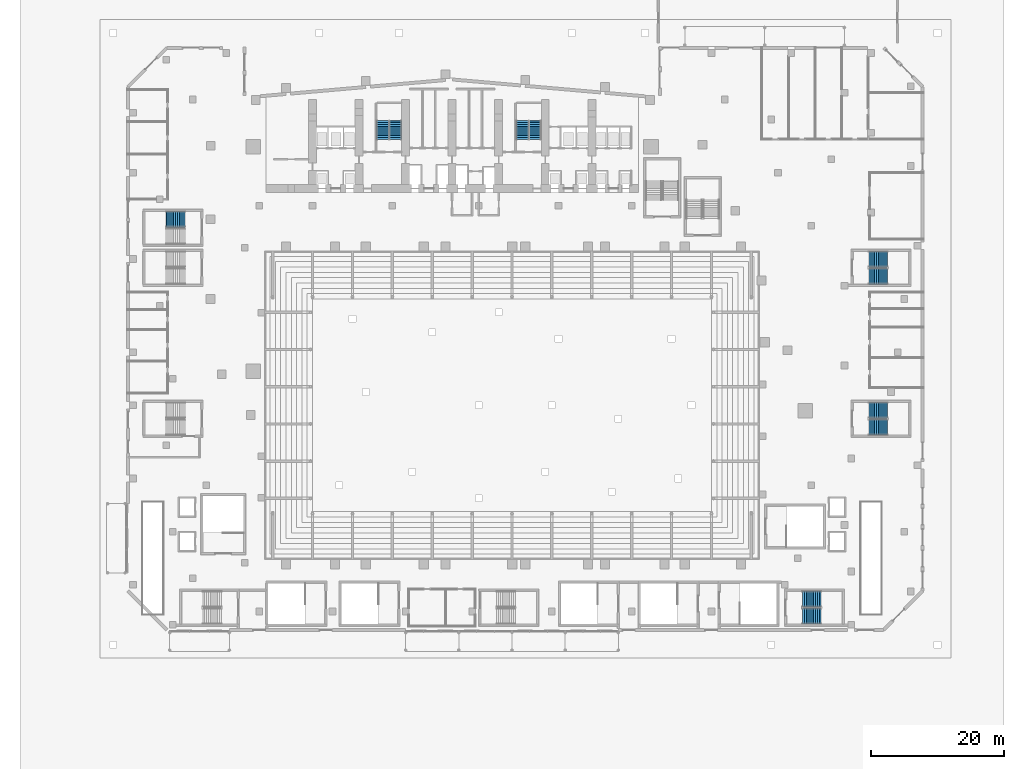
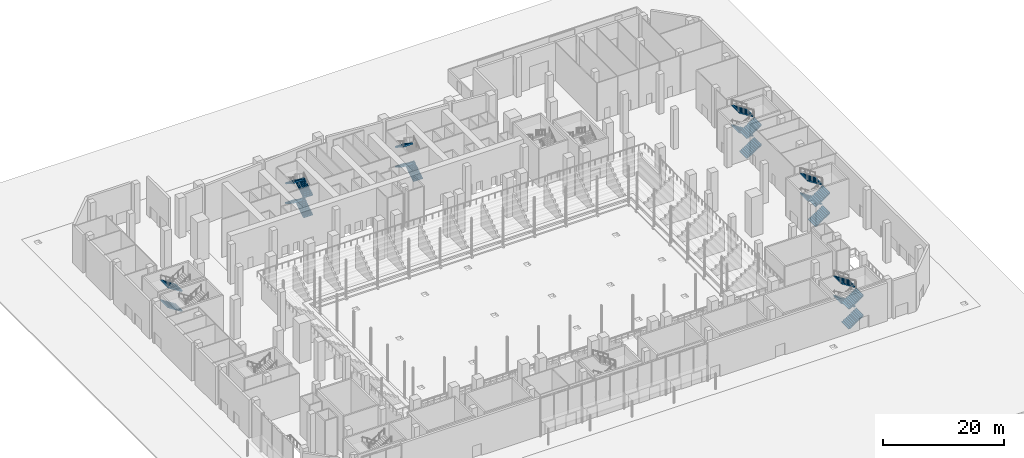
# One storey, part 30 of 41: 21 stair flights, 6 elements without a shape of their own.
"""IFC4 building model written with IfcOpenShell, lengths in metres."""

from ifc_helpers import new_model, si_unit, direction, frame, origin, place, context, subcontext, project, spatial, polyline, outline, extrude, material, type_object, element, aggregate, save


model = new_model("IFC4")

# Units and contexts
model_context = context("Model", 3, precision=1e-05, world=origin(), true_north=direction((0.0, 1.0)))
body_context = subcontext(model_context, "Body", "Model", "MODEL_VIEW")
ifc_project = project(units=[si_unit("LENGTHUNIT", "METRE"), si_unit("AREAUNIT", "SQUARE_METRE"), si_unit("VOLUMEUNIT", "CUBIC_METRE"), si_unit("PLANEANGLEUNIT", "RADIAN"), si_unit("MASSUNIT", "GRAM", prefix="KILO")], contexts=[model_context])

# Site, building, storey
site_placement = place(None, origin())
site = spatial("IfcSite", under=ifc_project, at=site_placement, CompositionType="ELEMENT")
building_placement = place(site_placement, origin())
building = spatial("IfcBuilding", under=site, at=building_placement, Name="Wharfspan Tower", CompositionType="ELEMENT")
storey_placement = place(building_placement, origin())
storey = spatial("IfcBuildingStorey", under=building, at=storey_placement, Name="L00", CompositionType="ELEMENT", Elevation=0.0)

# Stair, stair flights
ifc_material = material(Name="Concrete C40/50", Category="concrete")
stair_type_1 = type_object("IfcStairType", Name="Half-turn stair 2400 wide 44 risers 182 mm", PredefinedType="HALF_TURN_STAIR", material=ifc_material)
stair_1_placement = place(storey_placement, origin())
stair_1 = element("IfcStair", 1, at=stair_1_placement, inside=storey, type_object=stair_type_1, Name="L00 stair AS2", PredefinedType="HALF_TURN_STAIR")
stair_flight_type_1 = type_object("IfcStairFlightType", Name="Stair flight 2400 wide 44 risers 182 mm", PredefinedType="STRAIGHT", material=ifc_material)
stair_flight_1_placement = place(storey_placement, frame((89.699951, -29.699951, 0.0), z_axis=(0.0, 0.0, 1.0), x_axis=(1.0, 0.0, 0.0)))
stair_flight_1 = element("IfcStairFlight", 2, at=stair_flight_1_placement, type_object=stair_flight_type_1, Name="AS2 flight 1", NumberOfRisers=11, NumberOfTreads=10, PredefinedType="STRAIGHT", RiserHeight=0.181818, TreadLength=0.28, context=body_context, shape_type="SweptSolid", body=[
    extrude(outline(polyline([(-0.011963, 0.0), (-0.011963, 0.181885), (0.0, 0.181885), (0.280029, 0.181885), (0.280029, 0.363525), (0.560059, 0.363525), (0.560059, 0.54541), (0.840088, 0.54541), (0.840088, 0.727295), (1.120117, 0.727295), (1.120117, 0.90918), (1.399902, 0.90918), (1.399902, 1.09082), (1.679932, 1.09082), (1.679932, 1.272705), (1.959961, 1.272705), (1.959961, 1.45459), (2.23999, 1.45459), (2.23999, 1.636475), (2.52002, 1.636475), (2.52002, 1.818115), (2.800049, 1.818115), (2.812012, 2.0), (2.812012, 1.639404), (0.275146, 0.0), (-0.011963, 0.0)])), frame((0.0, 1.199951, 0.0), z_axis=(0.0, -1.0, 0.0), x_axis=(1.0, 0.0, 0.0)), (0.0, 0.0, 1.0), 1.199463),
    extrude(outline(polyline([(-0.011963, 0.0), (-0.011963, 0.181885), (0.0, 0.181885), (0.280029, 0.181885), (0.280029, 0.363525), (0.560059, 0.363525), (0.560059, 0.54541), (0.840088, 0.54541), (0.840088, 0.727295), (1.120117, 0.727295), (1.120117, 0.90918), (1.399902, 0.90918), (1.399902, 1.09082), (1.679932, 1.09082), (1.679932, 1.272705), (1.959961, 1.272705), (1.959961, 1.45459), (2.23999, 1.45459), (2.23999, 1.636475), (2.52002, 1.636475), (2.52002, 1.818115), (2.800049, 1.818115), (2.812012, 2.0), (2.812012, 1.639404), (0.275146, 0.0), (-0.011963, 0.0)])), frame((0.0, -0.000488, 0.0), z_axis=(0.0, -1.0, 0.0), x_axis=(1.0, 0.0, 0.0)), (0.0, 0.0, 1.0), 1.199463),
])
stair_flight_2_placement = place(storey_placement, frame((92.5, -27.149902, 2.0), z_axis=(0.0, 0.0, 1.0), x_axis=(-1.0, 0.0, 0.0)))
stair_flight_2 = element("IfcStairFlight", 3, at=stair_flight_2_placement, type_object=stair_flight_type_1, Name="AS2 flight 2", NumberOfRisers=11, NumberOfTreads=10, PredefinedType="STRAIGHT", RiserHeight=0.181818, TreadLength=0.28, context=body_context, shape_type="SweptSolid", body=[
    extrude(outline(polyline([(-0.011963, 0.0), (-0.011963, 0.181885), (0.0, 0.181885), (0.280029, 0.181885), (0.280029, 0.363525), (0.560059, 0.363525), (0.560059, 0.54541), (0.840088, 0.54541), (0.840088, 0.727295), (1.120117, 0.727295), (1.120117, 0.90918), (1.399902, 0.90918), (1.399902, 1.09082), (1.679932, 1.09082), (1.679932, 1.272705), (1.959961, 1.272705), (1.959961, 1.45459), (2.23999, 1.45459), (2.23999, 1.636475), (2.52002, 1.636475), (2.52002, 1.818115), (2.800049, 1.818115), (2.812012, 2.0), (2.812012, 1.639404), (0.275146, 0.0), (-0.011963, 0.0)])), frame((0.0, 1.199951, 0.0), z_axis=(0.0, -1.0, 0.0), x_axis=(1.0, 0.0, 0.0)), (0.0, 0.0, 1.0), 1.199463),
    extrude(outline(polyline([(-0.011963, 0.0), (-0.011963, 0.181885), (0.0, 0.181885), (0.280029, 0.181885), (0.280029, 0.363525), (0.560059, 0.363525), (0.560059, 0.54541), (0.840088, 0.54541), (0.840088, 0.727295), (1.120117, 0.727295), (1.120117, 0.90918), (1.399902, 0.90918), (1.399902, 1.09082), (1.679932, 1.09082), (1.679932, 1.272705), (1.959961, 1.272705), (1.959961, 1.45459), (2.23999, 1.45459), (2.23999, 1.636475), (2.52002, 1.636475), (2.52002, 1.818115), (2.800049, 1.818115), (2.812012, 2.0), (2.812012, 1.639404), (0.275146, 0.0), (-0.011963, 0.0)])), frame((0.0, -0.000488, 0.0), z_axis=(0.0, -1.0, 0.0), x_axis=(1.0, 0.0, 0.0)), (0.0, 0.0, 1.0), 1.199463),
])
stair_flight_3_placement = place(storey_placement, frame((89.699951, -29.699951, 4.0), z_axis=(0.0, 0.0, 1.0), x_axis=(1.0, 0.0, 0.0)))
stair_flight_3 = element("IfcStairFlight", 4, at=stair_flight_3_placement, type_object=stair_flight_type_1, Name="AS2 flight 3", NumberOfRisers=11, NumberOfTreads=10, PredefinedType="STRAIGHT", RiserHeight=0.181818, TreadLength=0.28, context=body_context, shape_type="SweptSolid", body=[
    extrude(outline(polyline([(-0.011963, 0.0), (-0.011963, 0.181885), (0.0, 0.181885), (0.280029, 0.181885), (0.280029, 0.363525), (0.560059, 0.363525), (0.560059, 0.54541), (0.840088, 0.54541), (0.840088, 0.727295), (1.120117, 0.727295), (1.120117, 0.90918), (1.399902, 0.90918), (1.399902, 1.09082), (1.679932, 1.09082), (1.679932, 1.272705), (1.959961, 1.272705), (1.959961, 1.45459), (2.23999, 1.45459), (2.23999, 1.636475), (2.52002, 1.636475), (2.52002, 1.818115), (2.800049, 1.818115), (2.812012, 2.0), (2.812012, 1.639404), (0.275146, 0.0), (-0.011963, 0.0)])), frame((0.0, 1.199951, 0.0), z_axis=(0.0, -1.0, 0.0), x_axis=(1.0, 0.0, 0.0)), (0.0, 0.0, 1.0), 1.199463),
    extrude(outline(polyline([(-0.011963, 0.0), (-0.011963, 0.181885), (0.0, 0.181885), (0.280029, 0.181885), (0.280029, 0.363525), (0.560059, 0.363525), (0.560059, 0.54541), (0.840088, 0.54541), (0.840088, 0.727295), (1.120117, 0.727295), (1.120117, 0.90918), (1.399902, 0.90918), (1.399902, 1.09082), (1.679932, 1.09082), (1.679932, 1.272705), (1.959961, 1.272705), (1.959961, 1.45459), (2.23999, 1.45459), (2.23999, 1.636475), (2.52002, 1.636475), (2.52002, 1.818115), (2.800049, 1.818115), (2.812012, 2.0), (2.812012, 1.639404), (0.275146, 0.0), (-0.011963, 0.0)])), frame((0.0, -0.000488, 0.0), z_axis=(0.0, -1.0, 0.0), x_axis=(1.0, 0.0, 0.0)), (0.0, 0.0, 1.0), 1.199463),
])
stair_flight_4_placement = place(storey_placement, frame((92.5, -27.149902, 6.0), z_axis=(0.0, 0.0, 1.0), x_axis=(-1.0, 0.0, 0.0)))
stair_flight_4 = element("IfcStairFlight", 5, at=stair_flight_4_placement, type_object=stair_flight_type_1, Name="AS2 flight 4", NumberOfRisers=11, NumberOfTreads=10, PredefinedType="STRAIGHT", RiserHeight=0.181818, TreadLength=0.28, context=body_context, shape_type="SweptSolid", body=[
    extrude(outline(polyline([(-0.011963, 0.0), (-0.011963, 0.181885), (0.0, 0.181885), (0.280029, 0.181885), (0.280029, 0.363525), (0.560059, 0.363525), (0.560059, 0.54541), (0.840088, 0.54541), (0.840088, 0.727295), (1.120117, 0.727295), (1.120117, 0.90918), (1.399902, 0.90918), (1.399902, 1.09082), (1.679932, 1.09082), (1.679932, 1.272705), (1.959961, 1.272705), (1.959961, 1.45459), (2.23999, 1.45459), (2.23999, 1.636475), (2.52002, 1.636475), (2.52002, 1.818115), (2.800049, 1.818115), (2.812012, 2.0), (2.812012, 1.639404), (0.275146, 0.0), (-0.011963, 0.0)])), frame((0.0, 1.199951, 0.0), z_axis=(0.0, -1.0, 0.0), x_axis=(1.0, 0.0, 0.0)), (0.0, 0.0, 1.0), 1.199463),
    extrude(outline(polyline([(-0.011963, 0.0), (-0.011963, 0.181885), (0.0, 0.181885), (0.280029, 0.181885), (0.280029, 0.363525), (0.560059, 0.363525), (0.560059, 0.54541), (0.840088, 0.54541), (0.840088, 0.727295), (1.120117, 0.727295), (1.120117, 0.90918), (1.399902, 0.90918), (1.399902, 1.09082), (1.679932, 1.09082), (1.679932, 1.272705), (1.959961, 1.272705), (1.959961, 1.45459), (2.23999, 1.45459), (2.23999, 1.636475), (2.52002, 1.636475), (2.52002, 1.818115), (2.800049, 1.818115), (2.812012, 2.0), (2.812012, 1.639404), (0.275146, 0.0), (-0.011963, 0.0)])), frame((0.0, -0.000488, 0.0), z_axis=(0.0, -1.0, 0.0), x_axis=(1.0, 0.0, 0.0)), (0.0, 0.0, 1.0), 1.199463),
])
aggregate(stair_1, [stair_flight_1, stair_flight_2, stair_flight_3, stair_flight_4])

stair_2_placement = place(storey_placement, origin())
stair_2 = element("IfcStair", 6, at=stair_2_placement, inside=storey, type_object=stair_type_1, Name="L00 stair AS8", PredefinedType="HALF_TURN_STAIR")
stair_flight_5_placement = place(storey_placement, frame((99.699951, -1.300049, 0.0), z_axis=(0.0, 0.0, 1.0), x_axis=(1.0, 0.0, 0.0)))
stair_flight_5 = element("IfcStairFlight", 7, at=stair_flight_5_placement, type_object=stair_flight_type_1, Name="AS8 flight 1", NumberOfRisers=11, NumberOfTreads=10, PredefinedType="STRAIGHT", RiserHeight=0.181818, TreadLength=0.28, context=body_context, shape_type="SweptSolid", body=[
    extrude(outline(polyline([(-0.011963, 0.0), (-0.011963, 0.181885), (0.0, 0.181885), (0.280029, 0.181885), (0.280029, 0.363525), (0.560059, 0.363525), (0.560059, 0.54541), (0.840088, 0.54541), (0.840088, 0.727295), (1.120117, 0.727295), (1.120117, 0.90918), (1.399902, 0.90918), (1.399902, 1.09082), (1.679932, 1.09082), (1.679932, 1.272705), (1.959961, 1.272705), (1.959961, 1.45459), (2.23999, 1.45459), (2.23999, 1.636475), (2.52002, 1.636475), (2.52002, 1.818115), (2.800049, 1.818115), (2.812012, 2.0), (2.812012, 1.639404), (0.275146, 0.0), (-0.011963, 0.0)])), frame((0.0, 1.199951, 0.0), z_axis=(0.0, -1.0, 0.0), x_axis=(1.0, 0.0, 0.0)), (0.0, 0.0, 1.0), 1.199463),
    extrude(outline(polyline([(-0.011963, 0.0), (-0.011963, 0.181885), (0.0, 0.181885), (0.280029, 0.181885), (0.280029, 0.363525), (0.560059, 0.363525), (0.560059, 0.54541), (0.840088, 0.54541), (0.840088, 0.727295), (1.120117, 0.727295), (1.120117, 0.90918), (1.399902, 0.90918), (1.399902, 1.09082), (1.679932, 1.09082), (1.679932, 1.272705), (1.959961, 1.272705), (1.959961, 1.45459), (2.23999, 1.45459), (2.23999, 1.636475), (2.52002, 1.636475), (2.52002, 1.818115), (2.800049, 1.818115), (2.812012, 2.0), (2.812012, 1.639404), (0.275146, 0.0), (-0.011963, 0.0)])), frame((0.0, -0.000488, 0.0), z_axis=(0.0, -1.0, 0.0), x_axis=(1.0, 0.0, 0.0)), (0.0, 0.0, 1.0), 1.199463),
])
stair_flight_6_placement = place(storey_placement, frame((102.5, 1.25, 2.0), z_axis=(0.0, 0.0, 1.0), x_axis=(-1.0, 0.0, 0.0)))
stair_flight_6 = element("IfcStairFlight", 8, at=stair_flight_6_placement, type_object=stair_flight_type_1, Name="AS8 flight 2", NumberOfRisers=11, NumberOfTreads=10, PredefinedType="STRAIGHT", RiserHeight=0.181818, TreadLength=0.28, context=body_context, shape_type="SweptSolid", body=[
    extrude(outline(polyline([(-0.011963, 0.0), (-0.011963, 0.181885), (0.0, 0.181885), (0.280029, 0.181885), (0.280029, 0.363525), (0.560059, 0.363525), (0.560059, 0.54541), (0.840088, 0.54541), (0.840088, 0.727295), (1.120117, 0.727295), (1.120117, 0.90918), (1.399902, 0.90918), (1.399902, 1.09082), (1.679932, 1.09082), (1.679932, 1.272705), (1.959961, 1.272705), (1.959961, 1.45459), (2.23999, 1.45459), (2.23999, 1.636475), (2.52002, 1.636475), (2.52002, 1.818115), (2.800049, 1.818115), (2.812012, 2.0), (2.812012, 1.639404), (0.275146, 0.0), (-0.011963, 0.0)])), frame((0.0, 1.199951, 0.0), z_axis=(0.0, -1.0, 0.0), x_axis=(1.0, 0.0, 0.0)), (0.0, 0.0, 1.0), 1.199463),
    extrude(outline(polyline([(-0.011963, 0.0), (-0.011963, 0.181885), (0.0, 0.181885), (0.280029, 0.181885), (0.280029, 0.363525), (0.560059, 0.363525), (0.560059, 0.54541), (0.840088, 0.54541), (0.840088, 0.727295), (1.120117, 0.727295), (1.120117, 0.90918), (1.399902, 0.90918), (1.399902, 1.09082), (1.679932, 1.09082), (1.679932, 1.272705), (1.959961, 1.272705), (1.959961, 1.45459), (2.23999, 1.45459), (2.23999, 1.636475), (2.52002, 1.636475), (2.52002, 1.818115), (2.800049, 1.818115), (2.812012, 2.0), (2.812012, 1.639404), (0.275146, 0.0), (-0.011963, 0.0)])), frame((0.0, -0.000488, 0.0), z_axis=(0.0, -1.0, 0.0), x_axis=(1.0, 0.0, 0.0)), (0.0, 0.0, 1.0), 1.199463),
])
stair_flight_7_placement = place(storey_placement, frame((99.699951, -1.300049, 4.0), z_axis=(0.0, 0.0, 1.0), x_axis=(1.0, 0.0, 0.0)))
stair_flight_7 = element("IfcStairFlight", 9, at=stair_flight_7_placement, type_object=stair_flight_type_1, Name="AS8 flight 3", NumberOfRisers=11, NumberOfTreads=10, PredefinedType="STRAIGHT", RiserHeight=0.181818, TreadLength=0.28, context=body_context, shape_type="SweptSolid", body=[
    extrude(outline(polyline([(-0.011963, 0.0), (-0.011963, 0.181885), (0.0, 0.181885), (0.280029, 0.181885), (0.280029, 0.363525), (0.560059, 0.363525), (0.560059, 0.54541), (0.840088, 0.54541), (0.840088, 0.727295), (1.120117, 0.727295), (1.120117, 0.90918), (1.399902, 0.90918), (1.399902, 1.09082), (1.679932, 1.09082), (1.679932, 1.272705), (1.959961, 1.272705), (1.959961, 1.45459), (2.23999, 1.45459), (2.23999, 1.636475), (2.52002, 1.636475), (2.52002, 1.818115), (2.800049, 1.818115), (2.812012, 2.0), (2.812012, 1.639404), (0.275146, 0.0), (-0.011963, 0.0)])), frame((0.0, 1.199951, 0.0), z_axis=(0.0, -1.0, 0.0), x_axis=(1.0, 0.0, 0.0)), (0.0, 0.0, 1.0), 1.199463),
    extrude(outline(polyline([(-0.011963, 0.0), (-0.011963, 0.181885), (0.0, 0.181885), (0.280029, 0.181885), (0.280029, 0.363525), (0.560059, 0.363525), (0.560059, 0.54541), (0.840088, 0.54541), (0.840088, 0.727295), (1.120117, 0.727295), (1.120117, 0.90918), (1.399902, 0.90918), (1.399902, 1.09082), (1.679932, 1.09082), (1.679932, 1.272705), (1.959961, 1.272705), (1.959961, 1.45459), (2.23999, 1.45459), (2.23999, 1.636475), (2.52002, 1.636475), (2.52002, 1.818115), (2.800049, 1.818115), (2.812012, 2.0), (2.812012, 1.639404), (0.275146, 0.0), (-0.011963, 0.0)])), frame((0.0, -0.000488, 0.0), z_axis=(0.0, -1.0, 0.0), x_axis=(1.0, 0.0, 0.0)), (0.0, 0.0, 1.0), 1.199463),
])
stair_flight_8_placement = place(storey_placement, frame((102.5, 1.25, 6.0), z_axis=(0.0, 0.0, 1.0), x_axis=(-1.0, 0.0, 0.0)))
stair_flight_8 = element("IfcStairFlight", 10, at=stair_flight_8_placement, type_object=stair_flight_type_1, Name="AS8 flight 4", NumberOfRisers=11, NumberOfTreads=10, PredefinedType="STRAIGHT", RiserHeight=0.181818, TreadLength=0.28, context=body_context, shape_type="SweptSolid", body=[
    extrude(outline(polyline([(-0.011963, 0.0), (-0.011963, 0.181885), (0.0, 0.181885), (0.280029, 0.181885), (0.280029, 0.363525), (0.560059, 0.363525), (0.560059, 0.54541), (0.840088, 0.54541), (0.840088, 0.727295), (1.120117, 0.727295), (1.120117, 0.90918), (1.399902, 0.90918), (1.399902, 1.09082), (1.679932, 1.09082), (1.679932, 1.272705), (1.959961, 1.272705), (1.959961, 1.45459), (2.23999, 1.45459), (2.23999, 1.636475), (2.52002, 1.636475), (2.52002, 1.818115), (2.800049, 1.818115), (2.812012, 2.0), (2.812012, 1.639404), (0.275146, 0.0), (-0.011963, 0.0)])), frame((0.0, 1.199951, 0.0), z_axis=(0.0, -1.0, 0.0), x_axis=(1.0, 0.0, 0.0)), (0.0, 0.0, 1.0), 1.199463),
    extrude(outline(polyline([(-0.011963, 0.0), (-0.011963, 0.181885), (0.0, 0.181885), (0.280029, 0.181885), (0.280029, 0.363525), (0.560059, 0.363525), (0.560059, 0.54541), (0.840088, 0.54541), (0.840088, 0.727295), (1.120117, 0.727295), (1.120117, 0.90918), (1.399902, 0.90918), (1.399902, 1.09082), (1.679932, 1.09082), (1.679932, 1.272705), (1.959961, 1.272705), (1.959961, 1.45459), (2.23999, 1.45459), (2.23999, 1.636475), (2.52002, 1.636475), (2.52002, 1.818115), (2.800049, 1.818115), (2.812012, 2.0), (2.812012, 1.639404), (0.275146, 0.0), (-0.011963, 0.0)])), frame((0.0, -0.000488, 0.0), z_axis=(0.0, -1.0, 0.0), x_axis=(1.0, 0.0, 0.0)), (0.0, 0.0, 1.0), 1.199463),
])
aggregate(stair_2, [stair_flight_5, stair_flight_6, stair_flight_7, stair_flight_8])

stair_3_placement = place(storey_placement, origin())
stair_3 = element("IfcStair", 11, at=stair_3_placement, inside=storey, type_object=stair_type_1, Name="L00 stair AS4", PredefinedType="HALF_TURN_STAIR")
stair_flight_9_placement = place(storey_placement, frame((99.699951, 21.399902, 0.0), z_axis=(0.0, 0.0, 1.0), x_axis=(1.0, 0.0, 0.0)))
stair_flight_9 = element("IfcStairFlight", 12, at=stair_flight_9_placement, type_object=stair_flight_type_1, Name="AS4 flight 1", NumberOfRisers=11, NumberOfTreads=10, PredefinedType="STRAIGHT", RiserHeight=0.181818, TreadLength=0.28, context=body_context, shape_type="SweptSolid", body=[
    extrude(outline(polyline([(-0.011963, 0.0), (-0.011963, 0.181885), (0.0, 0.181885), (0.280029, 0.181885), (0.280029, 0.363525), (0.560059, 0.363525), (0.560059, 0.54541), (0.840088, 0.54541), (0.840088, 0.727295), (1.120117, 0.727295), (1.120117, 0.90918), (1.399902, 0.90918), (1.399902, 1.09082), (1.679932, 1.09082), (1.679932, 1.272705), (1.959961, 1.272705), (1.959961, 1.45459), (2.23999, 1.45459), (2.23999, 1.636475), (2.52002, 1.636475), (2.52002, 1.818115), (2.800049, 1.818115), (2.812012, 2.0), (2.812012, 1.639404), (0.275146, 0.0), (-0.011963, 0.0)])), frame((0.0, 1.199951, 0.0), z_axis=(0.0, -1.0, 0.0), x_axis=(1.0, 0.0, 0.0)), (0.0, 0.0, 1.0), 1.199463),
    extrude(outline(polyline([(-0.011963, 0.0), (-0.011963, 0.181885), (0.0, 0.181885), (0.280029, 0.181885), (0.280029, 0.363525), (0.560059, 0.363525), (0.560059, 0.54541), (0.840088, 0.54541), (0.840088, 0.727295), (1.120117, 0.727295), (1.120117, 0.90918), (1.399902, 0.90918), (1.399902, 1.09082), (1.679932, 1.09082), (1.679932, 1.272705), (1.959961, 1.272705), (1.959961, 1.45459), (2.23999, 1.45459), (2.23999, 1.636475), (2.52002, 1.636475), (2.52002, 1.818115), (2.800049, 1.818115), (2.812012, 2.0), (2.812012, 1.639404), (0.275146, 0.0), (-0.011963, 0.0)])), frame((0.0, -0.000488, 0.0), z_axis=(0.0, -1.0, 0.0), x_axis=(1.0, 0.0, 0.0)), (0.0, 0.0, 1.0), 1.199463),
])
stair_flight_10_placement = place(storey_placement, frame((102.5, 23.949951, 2.0), z_axis=(0.0, 0.0, 1.0), x_axis=(-1.0, 0.0, 0.0)))
stair_flight_10 = element("IfcStairFlight", 13, at=stair_flight_10_placement, type_object=stair_flight_type_1, Name="AS4 flight 2", NumberOfRisers=11, NumberOfTreads=10, PredefinedType="STRAIGHT", RiserHeight=0.181818, TreadLength=0.28, context=body_context, shape_type="SweptSolid", body=[
    extrude(outline(polyline([(-0.011963, 0.0), (-0.011963, 0.181885), (0.0, 0.181885), (0.280029, 0.181885), (0.280029, 0.363525), (0.560059, 0.363525), (0.560059, 0.54541), (0.840088, 0.54541), (0.840088, 0.727295), (1.120117, 0.727295), (1.120117, 0.90918), (1.399902, 0.90918), (1.399902, 1.09082), (1.679932, 1.09082), (1.679932, 1.272705), (1.959961, 1.272705), (1.959961, 1.45459), (2.23999, 1.45459), (2.23999, 1.636475), (2.52002, 1.636475), (2.52002, 1.818115), (2.800049, 1.818115), (2.812012, 2.0), (2.812012, 1.639404), (0.275146, 0.0), (-0.011963, 0.0)])), frame((0.0, 1.199951, 0.0), z_axis=(0.0, -1.0, 0.0), x_axis=(1.0, 0.0, 0.0)), (0.0, 0.0, 1.0), 1.199463),
    extrude(outline(polyline([(-0.011963, 0.0), (-0.011963, 0.181885), (0.0, 0.181885), (0.280029, 0.181885), (0.280029, 0.363525), (0.560059, 0.363525), (0.560059, 0.54541), (0.840088, 0.54541), (0.840088, 0.727295), (1.120117, 0.727295), (1.120117, 0.90918), (1.399902, 0.90918), (1.399902, 1.09082), (1.679932, 1.09082), (1.679932, 1.272705), (1.959961, 1.272705), (1.959961, 1.45459), (2.23999, 1.45459), (2.23999, 1.636475), (2.52002, 1.636475), (2.52002, 1.818115), (2.800049, 1.818115), (2.812012, 2.0), (2.812012, 1.639404), (0.275146, 0.0), (-0.011963, 0.0)])), frame((0.0, -0.000488, 0.0), z_axis=(0.0, -1.0, 0.0), x_axis=(1.0, 0.0, 0.0)), (0.0, 0.0, 1.0), 1.199463),
])
stair_flight_11_placement = place(storey_placement, frame((99.699951, 21.399902, 4.0), z_axis=(0.0, 0.0, 1.0), x_axis=(1.0, 0.0, 0.0)))
stair_flight_11 = element("IfcStairFlight", 14, at=stair_flight_11_placement, type_object=stair_flight_type_1, Name="AS4 flight 3", NumberOfRisers=11, NumberOfTreads=10, PredefinedType="STRAIGHT", RiserHeight=0.181818, TreadLength=0.28, context=body_context, shape_type="SweptSolid", body=[
    extrude(outline(polyline([(-0.011963, 0.0), (-0.011963, 0.181885), (0.0, 0.181885), (0.280029, 0.181885), (0.280029, 0.363525), (0.560059, 0.363525), (0.560059, 0.54541), (0.840088, 0.54541), (0.840088, 0.727295), (1.120117, 0.727295), (1.120117, 0.90918), (1.399902, 0.90918), (1.399902, 1.09082), (1.679932, 1.09082), (1.679932, 1.272705), (1.959961, 1.272705), (1.959961, 1.45459), (2.23999, 1.45459), (2.23999, 1.636475), (2.52002, 1.636475), (2.52002, 1.818115), (2.800049, 1.818115), (2.812012, 2.0), (2.812012, 1.639404), (0.275146, 0.0), (-0.011963, 0.0)])), frame((0.0, 1.199951, 0.0), z_axis=(0.0, -1.0, 0.0), x_axis=(1.0, 0.0, 0.0)), (0.0, 0.0, 1.0), 1.199463),
    extrude(outline(polyline([(-0.011963, 0.0), (-0.011963, 0.181885), (0.0, 0.181885), (0.280029, 0.181885), (0.280029, 0.363525), (0.560059, 0.363525), (0.560059, 0.54541), (0.840088, 0.54541), (0.840088, 0.727295), (1.120117, 0.727295), (1.120117, 0.90918), (1.399902, 0.90918), (1.399902, 1.09082), (1.679932, 1.09082), (1.679932, 1.272705), (1.959961, 1.272705), (1.959961, 1.45459), (2.23999, 1.45459), (2.23999, 1.636475), (2.52002, 1.636475), (2.52002, 1.818115), (2.800049, 1.818115), (2.812012, 2.0), (2.812012, 1.639404), (0.275146, 0.0), (-0.011963, 0.0)])), frame((0.0, -0.000488, 0.0), z_axis=(0.0, -1.0, 0.0), x_axis=(1.0, 0.0, 0.0)), (0.0, 0.0, 1.0), 1.199463),
])
stair_flight_12_placement = place(storey_placement, frame((102.5, 23.949951, 6.0), z_axis=(0.0, 0.0, 1.0), x_axis=(-1.0, 0.0, 0.0)))
stair_flight_12 = element("IfcStairFlight", 15, at=stair_flight_12_placement, type_object=stair_flight_type_1, Name="AS4 flight 4", NumberOfRisers=11, NumberOfTreads=10, PredefinedType="STRAIGHT", RiserHeight=0.181818, TreadLength=0.28, context=body_context, shape_type="SweptSolid", body=[
    extrude(outline(polyline([(-0.011963, 0.0), (-0.011963, 0.181885), (0.0, 0.181885), (0.280029, 0.181885), (0.280029, 0.363525), (0.560059, 0.363525), (0.560059, 0.54541), (0.840088, 0.54541), (0.840088, 0.727295), (1.120117, 0.727295), (1.120117, 0.90918), (1.399902, 0.90918), (1.399902, 1.09082), (1.679932, 1.09082), (1.679932, 1.272705), (1.959961, 1.272705), (1.959961, 1.45459), (2.23999, 1.45459), (2.23999, 1.636475), (2.52002, 1.636475), (2.52002, 1.818115), (2.800049, 1.818115), (2.812012, 2.0), (2.812012, 1.639404), (0.275146, 0.0), (-0.011963, 0.0)])), frame((0.0, 1.199951, 0.0), z_axis=(0.0, -1.0, 0.0), x_axis=(1.0, 0.0, 0.0)), (0.0, 0.0, 1.0), 1.199463),
    extrude(outline(polyline([(-0.011963, 0.0), (-0.011963, 0.181885), (0.0, 0.181885), (0.280029, 0.181885), (0.280029, 0.363525), (0.560059, 0.363525), (0.560059, 0.54541), (0.840088, 0.54541), (0.840088, 0.727295), (1.120117, 0.727295), (1.120117, 0.90918), (1.399902, 0.90918), (1.399902, 1.09082), (1.679932, 1.09082), (1.679932, 1.272705), (1.959961, 1.272705), (1.959961, 1.45459), (2.23999, 1.45459), (2.23999, 1.636475), (2.52002, 1.636475), (2.52002, 1.818115), (2.800049, 1.818115), (2.812012, 2.0), (2.812012, 1.639404), (0.275146, 0.0), (-0.011963, 0.0)])), frame((0.0, -0.000488, 0.0), z_axis=(0.0, -1.0, 0.0), x_axis=(1.0, 0.0, 0.0)), (0.0, 0.0, 1.0), 1.199463),
])
aggregate(stair_3, [stair_flight_9, stair_flight_10, stair_flight_11, stair_flight_12])

stair_4_placement = place(storey_placement, origin())
stair_4 = element("IfcStair", 16, at=stair_4_placement, inside=storey, type_object=stair_type_1, Name="L00 stair PS3", PredefinedType="HALF_TURN_STAIR")
stair_flight_13_placement = place(storey_placement, frame((-3.199951, 29.975098, 0.0), z_axis=(0.0, 0.0, 1.0), x_axis=(-1.0, 0.0, 0.0)))
stair_flight_13 = element("IfcStairFlight", 17, at=stair_flight_13_placement, type_object=stair_flight_type_1, Name="PS3 flight 1", NumberOfRisers=11, NumberOfTreads=10, PredefinedType="STRAIGHT", RiserHeight=0.181818, TreadLength=0.28, context=body_context, shape_type="SweptSolid", body=[
    extrude(outline(polyline([(-0.011963, 0.0), (-0.011963, 0.181885), (0.0, 0.181885), (0.280029, 0.181885), (0.280029, 0.363525), (0.560059, 0.363525), (0.560059, 0.54541), (0.840088, 0.54541), (0.840088, 0.727295), (1.120117, 0.727295), (1.120117, 0.90918), (1.399902, 0.90918), (1.399902, 1.09082), (1.679932, 1.09082), (1.679932, 1.272705), (1.959961, 1.272705), (1.959961, 1.45459), (2.23999, 1.45459), (2.23999, 1.636475), (2.52002, 1.636475), (2.52002, 1.818115), (2.800049, 1.818115), (2.812012, 2.0), (2.812012, 1.639404), (0.275146, 0.0), (-0.011963, 0.0)])), frame((0.0, 1.199951, 0.0), z_axis=(0.0, -1.0, 0.0), x_axis=(1.0, 0.0, 0.0)), (0.0, 0.0, 1.0), 1.199463),
    extrude(outline(polyline([(-0.011963, 0.0), (-0.011963, 0.181885), (0.0, 0.181885), (0.280029, 0.181885), (0.280029, 0.363525), (0.560059, 0.363525), (0.560059, 0.54541), (0.840088, 0.54541), (0.840088, 0.727295), (1.120117, 0.727295), (1.120117, 0.90918), (1.399902, 0.90918), (1.399902, 1.09082), (1.679932, 1.09082), (1.679932, 1.272705), (1.959961, 1.272705), (1.959961, 1.45459), (2.23999, 1.45459), (2.23999, 1.636475), (2.52002, 1.636475), (2.52002, 1.818115), (2.800049, 1.818115), (2.812012, 2.0), (2.812012, 1.639404), (0.275146, 0.0), (-0.011963, 0.0)])), frame((0.0, -0.000488, 0.0), z_axis=(0.0, -1.0, 0.0), x_axis=(1.0, 0.0, 0.0)), (0.0, 0.0, 1.0), 1.199463),
])
stair_flight_14_placement = place(storey_placement, frame((-3.199951, 29.975098, 4.0), z_axis=(0.0, 0.0, 1.0), x_axis=(-1.0, 0.0, 0.0)))
stair_flight_14 = element("IfcStairFlight", 18, at=stair_flight_14_placement, type_object=stair_flight_type_1, Name="PS3 flight 3", NumberOfRisers=11, NumberOfTreads=10, PredefinedType="STRAIGHT", RiserHeight=0.181818, TreadLength=0.28, context=body_context, shape_type="SweptSolid", body=[
    extrude(outline(polyline([(-0.011963, 0.0), (-0.011963, 0.181885), (0.0, 0.181885), (0.280029, 0.181885), (0.280029, 0.363525), (0.560059, 0.363525), (0.560059, 0.54541), (0.840088, 0.54541), (0.840088, 0.727295), (1.120117, 0.727295), (1.120117, 0.90918), (1.399902, 0.90918), (1.399902, 1.09082), (1.679932, 1.09082), (1.679932, 1.272705), (1.959961, 1.272705), (1.959961, 1.45459), (2.23999, 1.45459), (2.23999, 1.636475), (2.52002, 1.636475), (2.52002, 1.818115), (2.800049, 1.818115), (2.812012, 2.0), (2.812012, 1.639404), (0.275146, 0.0), (-0.011963, 0.0)])), frame((0.0, 1.199951, 0.0), z_axis=(0.0, -1.0, 0.0), x_axis=(1.0, 0.0, 0.0)), (0.0, 0.0, 1.0), 1.199463),
    extrude(outline(polyline([(-0.011963, 0.0), (-0.011963, 0.181885), (0.0, 0.181885), (0.280029, 0.181885), (0.280029, 0.363525), (0.560059, 0.363525), (0.560059, 0.54541), (0.840088, 0.54541), (0.840088, 0.727295), (1.120117, 0.727295), (1.120117, 0.90918), (1.399902, 0.90918), (1.399902, 1.09082), (1.679932, 1.09082), (1.679932, 1.272705), (1.959961, 1.272705), (1.959961, 1.45459), (2.23999, 1.45459), (2.23999, 1.636475), (2.52002, 1.636475), (2.52002, 1.818115), (2.800049, 1.818115), (2.812012, 2.0), (2.812012, 1.639404), (0.275146, 0.0), (-0.011963, 0.0)])), frame((0.0, -0.000488, 0.0), z_axis=(0.0, -1.0, 0.0), x_axis=(1.0, 0.0, 0.0)), (0.0, 0.0, 1.0), 1.199463),
])
aggregate(stair_4, [stair_flight_13, stair_flight_14])

stair_type_2 = type_object("IfcStairType", Name="Half-turn stair 44 risers 182 mm", PredefinedType="HALF_TURN_STAIR", material=ifc_material)
stair_5_placement = place(storey_placement, origin())
stair_5 = element("IfcStair", 19, at=stair_5_placement, inside=storey, type_object=stair_type_2, Name="L00 stair ST1", PredefinedType="HALF_TURN_STAIR")
stair_flight_type_2 = type_object("IfcStairFlightType", Name="Stair flight 44 risers 182 mm", PredefinedType="STRAIGHT", material=ifc_material)
stair_flight_15_placement = place(storey_placement, frame((28.5, 42.0, 0.0), z_axis=(0.0, 0.0, 1.0), x_axis=(0.0, 1.0, 0.0)))
stair_flight_15 = element("IfcStairFlight", 20, at=stair_flight_15_placement, type_object=stair_flight_type_2, Name="ST1 flight 1", NumberOfRisers=11, NumberOfTreads=10, PredefinedType="STRAIGHT", RiserHeight=0.181818, TreadLength=0.28, context=body_context, shape_type="SweptSolid", body=[
    extrude(outline(polyline([(-0.011963, 0.0), (-0.011963, 0.181885), (0.0, 0.181885), (0.280029, 0.181885), (0.280029, 0.363525), (0.560059, 0.363525), (0.560059, 0.54541), (0.840088, 0.54541), (0.840088, 0.727295), (1.120117, 0.727295), (1.120117, 0.90918), (1.399902, 0.90918), (1.399902, 1.09082), (1.679932, 1.09082), (1.679932, 1.272705), (1.959961, 1.272705), (1.959961, 1.45459), (2.23999, 1.45459), (2.23999, 1.636475), (2.52002, 1.636475), (2.52002, 1.818115), (2.800049, 1.818115), (2.812012, 2.0), (2.812012, 1.639404), (0.275146, 0.0), (-0.011963, 0.0)])), frame((0.0, 0.899902, 0.0), z_axis=(0.0, -1.0, 0.0), x_axis=(1.0, 0.0, 0.0)), (0.0, 0.0, 1.0), 1.800049),
])
stair_flight_16_placement = place(storey_placement, frame((26.550049, 44.800049, 2.0), z_axis=(0.0, 0.0, 1.0), x_axis=(0.0, -1.0, 0.0)))
stair_flight_16 = element("IfcStairFlight", 21, at=stair_flight_16_placement, type_object=stair_flight_type_2, Name="ST1 flight 2", NumberOfRisers=11, NumberOfTreads=10, PredefinedType="STRAIGHT", RiserHeight=0.181818, TreadLength=0.28, context=body_context, shape_type="SweptSolid", body=[
    extrude(outline(polyline([(-0.011963, 0.0), (-0.011963, 0.181885), (0.0, 0.181885), (0.280029, 0.181885), (0.280029, 0.363525), (0.560059, 0.363525), (0.560059, 0.54541), (0.840088, 0.54541), (0.840088, 0.727295), (1.120117, 0.727295), (1.120117, 0.90918), (1.399902, 0.90918), (1.399902, 1.09082), (1.679932, 1.09082), (1.679932, 1.272705), (1.959961, 1.272705), (1.959961, 1.45459), (2.23999, 1.45459), (2.23999, 1.636475), (2.52002, 1.636475), (2.52002, 1.818115), (2.800049, 1.818115), (2.812012, 2.0), (2.812012, 1.639404), (0.275146, 0.0), (-0.011963, 0.0)])), frame((0.0, 0.899902, 0.0), z_axis=(0.0, -1.0, 0.0), x_axis=(1.0, 0.0, 0.0)), (0.0, 0.0, 1.0), 1.800049),
])
stair_flight_17_placement = place(storey_placement, frame((28.5, 42.0, 4.0), z_axis=(0.0, 0.0, 1.0), x_axis=(0.0, 1.0, 0.0)))
stair_flight_17 = element("IfcStairFlight", 22, at=stair_flight_17_placement, type_object=stair_flight_type_2, Name="ST1 flight 3", NumberOfRisers=11, NumberOfTreads=10, PredefinedType="STRAIGHT", RiserHeight=0.181818, TreadLength=0.28, context=body_context, shape_type="SweptSolid", body=[
    extrude(outline(polyline([(-0.011963, 0.0), (-0.011963, 0.181885), (0.0, 0.181885), (0.280029, 0.181885), (0.280029, 0.363525), (0.560059, 0.363525), (0.560059, 0.54541), (0.840088, 0.54541), (0.840088, 0.727295), (1.120117, 0.727295), (1.120117, 0.90918), (1.399902, 0.90918), (1.399902, 1.09082), (1.679932, 1.09082), (1.679932, 1.272705), (1.959961, 1.272705), (1.959961, 1.45459), (2.23999, 1.45459), (2.23999, 1.636475), (2.52002, 1.636475), (2.52002, 1.818115), (2.800049, 1.818115), (2.812012, 2.0), (2.812012, 1.639404), (0.275146, 0.0), (-0.011963, 0.0)])), frame((0.0, 0.899902, 0.0), z_axis=(0.0, -1.0, 0.0), x_axis=(1.0, 0.0, 0.0)), (0.0, 0.0, 1.0), 1.800049),
])
stair_flight_18_placement = place(storey_placement, frame((26.550049, 44.800049, 6.0), z_axis=(0.0, 0.0, 1.0), x_axis=(0.0, -1.0, 0.0)))
stair_flight_18 = element("IfcStairFlight", 23, at=stair_flight_18_placement, type_object=stair_flight_type_2, Name="ST1 flight 4", NumberOfRisers=11, NumberOfTreads=10, PredefinedType="STRAIGHT", RiserHeight=0.181818, TreadLength=0.28, context=body_context, shape_type="SweptSolid", body=[
    extrude(outline(polyline([(-0.011963, 0.0), (-0.011963, 0.181885), (0.0, 0.181885), (0.280029, 0.181885), (0.280029, 0.363525), (0.560059, 0.363525), (0.560059, 0.54541), (0.840088, 0.54541), (0.840088, 0.727295), (1.120117, 0.727295), (1.120117, 0.90918), (1.399902, 0.90918), (1.399902, 1.09082), (1.679932, 1.09082), (1.679932, 1.272705), (1.959961, 1.272705), (1.959961, 1.45459), (2.23999, 1.45459), (2.23999, 1.636475), (2.52002, 1.636475), (2.52002, 1.818115), (2.800049, 1.818115), (2.812012, 2.0), (2.812012, 1.639404), (0.275146, 0.0), (-0.011963, 0.0)])), frame((0.0, 0.899902, 0.0), z_axis=(0.0, -1.0, 0.0), x_axis=(1.0, 0.0, 0.0)), (0.0, 0.0, 1.0), 1.800049),
])
aggregate(stair_5, [stair_flight_15, stair_flight_16, stair_flight_17, stair_flight_18])

stair_6_placement = place(storey_placement, origin())
stair_6 = element("IfcStair", 24, at=stair_6_placement, inside=storey, type_object=stair_type_2, Name="L00 stair ST2", PredefinedType="HALF_TURN_STAIR")
stair_flight_19_placement = place(storey_placement, frame((49.5, 42.0, 0.0), z_axis=(0.0, 0.0, 1.0), x_axis=(0.0, 1.0, 0.0)))
stair_flight_19 = element("IfcStairFlight", 25, at=stair_flight_19_placement, type_object=stair_flight_type_2, Name="ST2 flight 1", NumberOfRisers=11, NumberOfTreads=10, PredefinedType="STRAIGHT", RiserHeight=0.181818, TreadLength=0.28, context=body_context, shape_type="SweptSolid", body=[
    extrude(outline(polyline([(-0.011963, 0.0), (-0.011963, 0.181885), (0.0, 0.181885), (0.280029, 0.181885), (0.280029, 0.363525), (0.560059, 0.363525), (0.560059, 0.54541), (0.840088, 0.54541), (0.840088, 0.727295), (1.120117, 0.727295), (1.120117, 0.90918), (1.399902, 0.90918), (1.399902, 1.09082), (1.679932, 1.09082), (1.679932, 1.272705), (1.959961, 1.272705), (1.959961, 1.45459), (2.23999, 1.45459), (2.23999, 1.636475), (2.52002, 1.636475), (2.52002, 1.818115), (2.800049, 1.818115), (2.812012, 2.0), (2.812012, 1.639404), (0.275146, 0.0), (-0.011963, 0.0)])), frame((0.0, 0.899902, 0.0), z_axis=(0.0, -1.0, 0.0), x_axis=(1.0, 0.0, 0.0)), (0.0, 0.0, 1.0), 1.800049),
])
stair_flight_20_placement = place(storey_placement, frame((47.550049, 44.800049, 2.0), z_axis=(0.0, 0.0, 1.0), x_axis=(0.0, -1.0, 0.0)))
stair_flight_20 = element("IfcStairFlight", 26, at=stair_flight_20_placement, type_object=stair_flight_type_2, Name="ST2 flight 2", NumberOfRisers=11, NumberOfTreads=10, PredefinedType="STRAIGHT", RiserHeight=0.181818, TreadLength=0.28, context=body_context, shape_type="SweptSolid", body=[
    extrude(outline(polyline([(-0.011963, 0.0), (-0.011963, 0.181885), (0.0, 0.181885), (0.280029, 0.181885), (0.280029, 0.363525), (0.560059, 0.363525), (0.560059, 0.54541), (0.840088, 0.54541), (0.840088, 0.727295), (1.120117, 0.727295), (1.120117, 0.90918), (1.399902, 0.90918), (1.399902, 1.09082), (1.679932, 1.09082), (1.679932, 1.272705), (1.959961, 1.272705), (1.959961, 1.45459), (2.23999, 1.45459), (2.23999, 1.636475), (2.52002, 1.636475), (2.52002, 1.818115), (2.800049, 1.818115), (2.812012, 2.0), (2.812012, 1.639404), (0.275146, 0.0), (-0.011963, 0.0)])), frame((0.0, 0.899902, 0.0), z_axis=(0.0, -1.0, 0.0), x_axis=(1.0, 0.0, 0.0)), (0.0, 0.0, 1.0), 1.800049),
])
stair_flight_21_placement = place(storey_placement, frame((47.550049, 44.800049, 6.0), z_axis=(0.0, 0.0, 1.0), x_axis=(0.0, -1.0, 0.0)))
stair_flight_21 = element("IfcStairFlight", 27, at=stair_flight_21_placement, type_object=stair_flight_type_2, Name="ST2 flight 4", NumberOfRisers=11, NumberOfTreads=10, PredefinedType="STRAIGHT", RiserHeight=0.181818, TreadLength=0.28, context=body_context, shape_type="SweptSolid", body=[
    extrude(outline(polyline([(-0.011963, 0.0), (-0.011963, 0.181885), (0.0, 0.181885), (0.280029, 0.181885), (0.280029, 0.363525), (0.560059, 0.363525), (0.560059, 0.54541), (0.840088, 0.54541), (0.840088, 0.727295), (1.120117, 0.727295), (1.120117, 0.90918), (1.399902, 0.90918), (1.399902, 1.09082), (1.679932, 1.09082), (1.679932, 1.272705), (1.959961, 1.272705), (1.959961, 1.45459), (2.23999, 1.45459), (2.23999, 1.636475), (2.52002, 1.636475), (2.52002, 1.818115), (2.800049, 1.818115), (2.812012, 2.0), (2.812012, 1.639404), (0.275146, 0.0), (-0.011963, 0.0)])), frame((0.0, 0.899902, 0.0), z_axis=(0.0, -1.0, 0.0), x_axis=(1.0, 0.0, 0.0)), (0.0, 0.0, 1.0), 1.800049),
])
aggregate(stair_6, [stair_flight_19, stair_flight_20, stair_flight_21])

save(model, "model.ifc")
